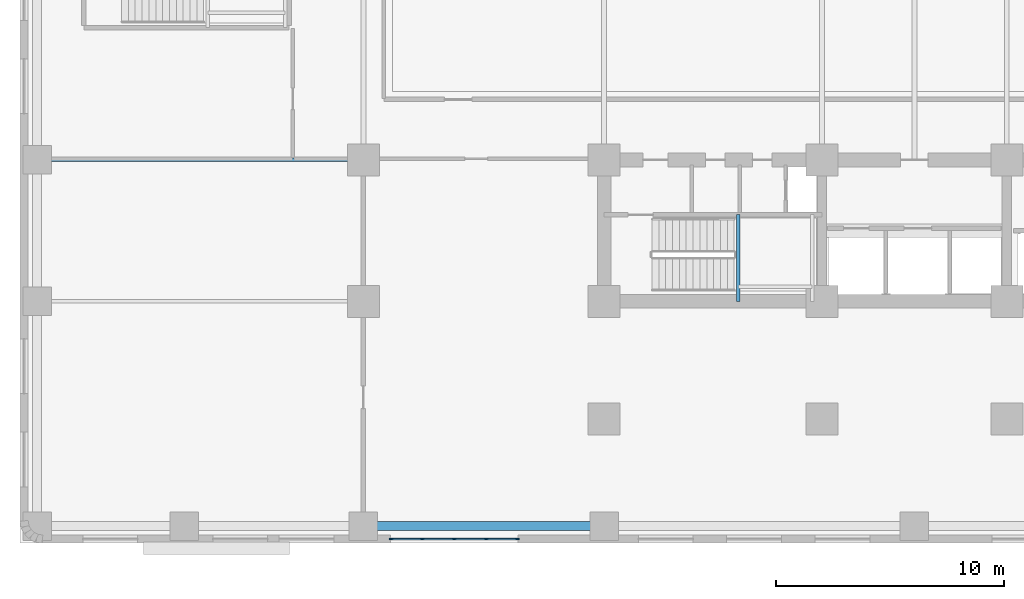
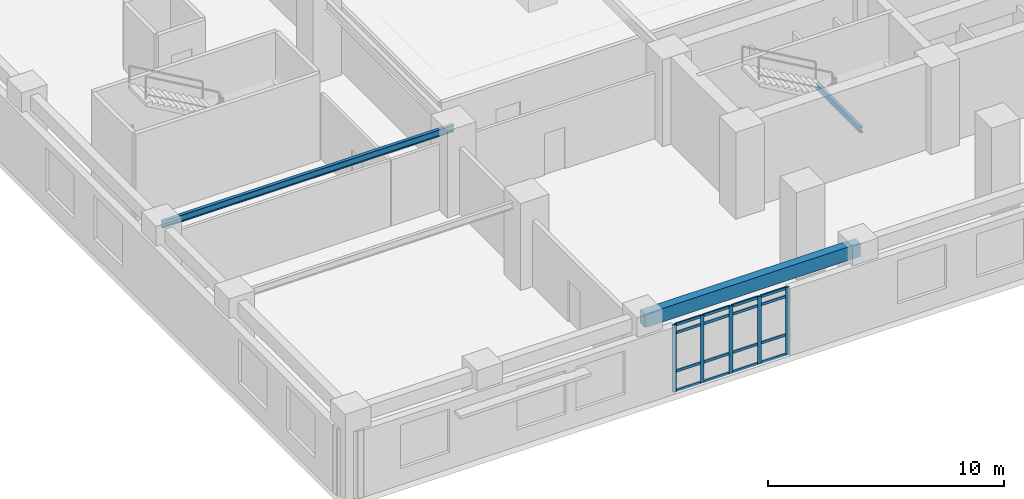
# One storey, part 2 of 14: 21 members, 3 beams, 1 element without a shape of its own.
"""IFC4 building model written with IfcOpenShell, lengths in metres."""

from ifc_helpers import new_model, si_unit, direction, frame, origin, origin_2d, place, context, subcontext, project, spatial, rectangle, i_section, extrude, material, material_profile, profile_set, type_object, element, aggregate, save


model = new_model("IFC4")

# Units and contexts
model_context = context("Model", 3, precision=1e-05, world=origin(), true_north=direction((0.0, 1.0)))
body_context = subcontext(model_context, "Body", "Model", "MODEL_VIEW")
ifc_project = project(units=[si_unit("LENGTHUNIT", "METRE"), si_unit("AREAUNIT", "SQUARE_METRE"), si_unit("VOLUMEUNIT", "CUBIC_METRE"), si_unit("PLANEANGLEUNIT", "RADIAN"), si_unit("MASSUNIT", "GRAM", prefix="KILO")], contexts=[model_context])

# Site, building, storey
site_placement = place(None, origin())
site = spatial("IfcSite", under=ifc_project, at=site_placement, CompositionType="ELEMENT")
building_placement = place(site_placement, origin())
building = spatial("IfcBuilding", under=site, at=building_placement, Name="Svetorya Sky Lyceum", CompositionType="ELEMENT")
storey_placement = place(building_placement, frame((0.0, 0.0, 15.60009765625)))
storey = spatial("IfcBuildingStorey", under=building, at=storey_placement, Name="L03", CompositionType="ELEMENT", Elevation=15.60009765625)

# Beams
ifc_material_1 = material(Name="Concrete C50/60", Category="concrete")
ifc_material_profile_1 = material_profile(ifc_material_1, rectangle(XDim=0.39990234375, YDim=0.699951171875, at=origin_2d()), Name="RC SPANDREL 400x700")
ifc_profile_set_1 = profile_set([ifc_material_profile_1], Name="Concrete C50/60")
beam_type_1 = type_object("IfcBeamType", Name="BM-SPN-700", PredefinedType="SPANDREL", material=ifc_profile_set_1)
beam_1_placement = place(storey_placement, frame((15.050048828125, 0.75, 3.849853515625), z_axis=(1.0, 0.0, 0.0), x_axis=(0.0, 1.0, 0.0)))
element("IfcBeam", 1, at=beam_1_placement, inside=storey, type_object=beam_type_1, Name="L03 Podium South Spandrel 3", PredefinedType="SPANDREL", context=body_context, shape_type="SweptSolid", body=[
    extrude(rectangle(XDim=0.39990234375, YDim=0.699951171875, at=origin_2d()), origin(), (0.0, 0.0, 1.0), 10.550048828125),
])
ifc_material_2 = material(Name="Steel S355", Category="steel")
ifc_material_profile_2 = material_profile(ifc_material_2, i_section(OverallWidth=0.14990234375, OverallDepth=0.299072265625, WebThickness=0.006591796875, FlangeThickness=0.010498046875, at=origin_2d()), Name="GOST 30B2")
ifc_profile_set_2 = profile_set([ifc_material_profile_2], Name="Steel S355")
beam_type_2 = type_object("IfcBeamType", Name="BM-STL-30B2", PredefinedType="JOIST", material=ifc_profile_set_2)
beam_2_placement = place(storey_placement, frame((31.47998046875, 10.60009765625, 1.900390625), z_axis=(0.0, 1.0, 0.0), x_axis=(-1.0, 0.0, 0.0)))
element("IfcBeam", 2, at=beam_2_placement, inside=storey, type_object=beam_type_2, Name="L03 Stair ST-S Half-Landing Support Beam 5.1", PredefinedType="JOIST", context=body_context, shape_type="SweptSolid", body=[
    extrude(i_section(OverallWidth=0.14990234375, OverallDepth=0.299072265625, WebThickness=0.006591796875, FlangeThickness=0.010498046875, at=origin_2d()), origin(), (0.0, 0.0, 1.0), 3.7998046875),
])
ifc_material_profile_3 = material_profile(ifc_material_2, i_section(OverallWidth=0.155029296875, OverallDepth=0.34912109375, WebThickness=0.007080078125, FlangeThickness=0.011474609375, at=origin_2d()), Name="GOST 35B2")
ifc_profile_set_3 = profile_set([ifc_material_profile_3], Name="Steel S355")
beam_type_3 = type_object("IfcBeamType", Name="BM-STL-35B2", PredefinedType="JOIST", material=ifc_profile_set_3)
beam_3_placement = place(storey_placement, frame((0.75, 16.800048828125, 4.025390625), z_axis=(1.0, 0.0, 0.0), x_axis=(0.0, 1.0, 0.0)))
element("IfcBeam", 3, at=beam_3_placement, inside=storey, type_object=beam_type_3, Name="L03 Podium Wing Joist W2", PredefinedType="JOIST", context=body_context, shape_type="SweptSolid", body=[
    extrude(i_section(OverallWidth=0.155029296875, OverallDepth=0.34912109375, WebThickness=0.007080078125, FlangeThickness=0.011474609375, at=origin_2d()), origin(), (0.0, 0.0, 1.0), 14.300048828125),
])

# Curtain wall, members
ifc_material_3 = material(Name="Thermally broken anodized aluminium and triple low-E glass", Category="aluminium")
curtain_wall_type = type_object("IfcCurtainWallType", Name="CW2-SCH-RIB", PredefinedType="NOTDEFINED", material=ifc_material_3)
curtain_wall_placement = place(storey_placement, origin())
curtain_wall = element("IfcCurtainWall", 4, at=curtain_wall_placement, inside=storey, type_object=curtain_wall_type, Name="L03 Lyceum Classroom Ribbon Curtain Wall 6", PredefinedType="NOTDEFINED")
ifc_material_4 = material(Name="Thermally broken anodized aluminium EN AW-6060", Category="aluminium")
ifc_material_profile_4 = material_profile(ifc_material_4, rectangle(XDim=0.06494140625, YDim=0.179931640625, at=origin_2d()), Name="ALU MULLION 65x180")
ifc_profile_set_4 = profile_set([ifc_material_profile_4], Name="Thermally broken anodized aluminium EN AW-6060")
member_type_1 = type_object("IfcMemberType", Name="CWM-MUL-180", PredefinedType="MULLION", material=ifc_profile_set_4)
member_1_placement = place(storey_placement, frame((16.262451171875, 0.179931640625, 0.0), z_axis=(0.0, 0.0, 1.0), x_axis=(0.0, 1.0, 0.0)))
member_1 = element("IfcMember", 5, at=member_1_placement, type_object=member_type_1, Name="CW-2 mullion 1", PredefinedType="MULLION", context=body_context, shape_type="SweptSolid", body=[
    extrude(rectangle(XDim=0.06494140625, YDim=0.179931640625, at=origin_2d()), origin(), (0.0, 0.0, 1.0), 3.47998046875),
])
member_2_placement = place(storey_placement, frame((17.6298828125, 0.179931640625, 0.0), z_axis=(0.0, 0.0, 1.0), x_axis=(0.0, 1.0, 0.0)))
member_2 = element("IfcMember", 6, at=member_2_placement, type_object=member_type_1, Name="CW-2 mullion 2", PredefinedType="MULLION", context=body_context, shape_type="SweptSolid", body=[
    extrude(rectangle(XDim=0.06494140625, YDim=0.179931640625, at=origin_2d()), origin(), (0.0, 0.0, 1.0), 3.47998046875),
])
member_3_placement = place(storey_placement, frame((19.030029296875, 0.179931640625, 0.0), z_axis=(0.0, 0.0, 1.0), x_axis=(0.0, 1.0, 0.0)))
member_3 = element("IfcMember", 7, at=member_3_placement, type_object=member_type_1, Name="CW-2 mullion 3", PredefinedType="MULLION", context=body_context, shape_type="SweptSolid", body=[
    extrude(rectangle(XDim=0.06494140625, YDim=0.179931640625, at=origin_2d()), origin(), (0.0, 0.0, 1.0), 3.47998046875),
])
member_4_placement = place(storey_placement, frame((20.429931640625, 0.179931640625, 0.0), z_axis=(0.0, 0.0, 1.0), x_axis=(0.0, 1.0, 0.0)))
member_4 = element("IfcMember", 8, at=member_4_placement, type_object=member_type_1, Name="CW-2 mullion 4", PredefinedType="MULLION", context=body_context, shape_type="SweptSolid", body=[
    extrude(rectangle(XDim=0.06494140625, YDim=0.179931640625, at=origin_2d()), origin(), (0.0, 0.0, 1.0), 3.47998046875),
])
member_5_placement = place(storey_placement, frame((21.797607421875, 0.179931640625, 0.0), z_axis=(0.0, 0.0, 1.0), x_axis=(0.0, 1.0, 0.0)))
member_5 = element("IfcMember", 9, at=member_5_placement, type_object=member_type_1, Name="CW-2 mullion 5", PredefinedType="MULLION", context=body_context, shape_type="SweptSolid", body=[
    extrude(rectangle(XDim=0.06494140625, YDim=0.179931640625, at=origin_2d()), origin(), (0.0, 0.0, 1.0), 3.47998046875),
])
ifc_material_profile_5 = material_profile(ifc_material_4, rectangle(XDim=0.06494140625, YDim=0.139892578125, at=origin_2d()), Name="ALU TRANSOM 65x140")
ifc_profile_set_5 = profile_set([ifc_material_profile_5], Name="Thermally broken anodized aluminium EN AW-6060")
member_type_2 = type_object("IfcMemberType", Name="CWM-TRN-140", PredefinedType="USERDEFINED", material=ifc_profile_set_5)
member_6_placement = place(storey_placement, frame((16.29345703125, 0.179931640625, 0.032470703125), z_axis=(1.0, 0.0, 0.0), x_axis=(0.0, 1.0, 0.0)))
member_6 = element("IfcMember", 10, at=member_6_placement, type_object=member_type_2, Name="CW-2 transom 1.1", ObjectType="TRANSOM", PredefinedType="USERDEFINED", context=body_context, shape_type="SweptSolid", body=[
    extrude(rectangle(XDim=0.06494140625, YDim=0.139892578125, at=origin_2d()), origin(), (0.0, 0.0, 1.0), 1.3056640625),
])
member_7_placement = place(storey_placement, frame((16.29345703125, 0.179931640625, 1.0439453125), z_axis=(1.0, 0.0, 0.0), x_axis=(0.0, 1.0, 0.0)))
member_7 = element("IfcMember", 11, at=member_7_placement, type_object=member_type_2, Name="CW-2 transom 1.2", ObjectType="TRANSOM", PredefinedType="USERDEFINED", context=body_context, shape_type="SweptSolid", body=[
    extrude(rectangle(XDim=0.06494140625, YDim=0.139892578125, at=origin_2d()), origin(), (0.0, 0.0, 1.0), 1.3056640625),
])
member_8_placement = place(storey_placement, frame((16.29345703125, 0.179931640625, 3.02978515625), z_axis=(1.0, 0.0, 0.0), x_axis=(0.0, 1.0, 0.0)))
member_8 = element("IfcMember", 12, at=member_8_placement, type_object=member_type_2, Name="CW-2 transom 1.3", ObjectType="TRANSOM", PredefinedType="USERDEFINED", context=body_context, shape_type="SweptSolid", body=[
    extrude(rectangle(XDim=0.06494140625, YDim=0.139892578125, at=origin_2d()), origin(), (0.0, 0.0, 1.0), 1.3056640625),
])
member_9_placement = place(storey_placement, frame((16.29345703125, 0.179931640625, 3.447509765625), z_axis=(1.0, 0.0, 0.0), x_axis=(0.0, 1.0, 0.0)))
member_9 = element("IfcMember", 13, at=member_9_placement, type_object=member_type_2, Name="CW-2 transom 1.4", ObjectType="TRANSOM", PredefinedType="USERDEFINED", context=body_context, shape_type="SweptSolid", body=[
    extrude(rectangle(XDim=0.06494140625, YDim=0.139892578125, at=origin_2d()), origin(), (0.0, 0.0, 1.0), 1.3056640625),
])
member_10_placement = place(storey_placement, frame((17.660888671875, 0.179931640625, 0.032470703125), z_axis=(1.0, 0.0, 0.0), x_axis=(0.0, 1.0, 0.0)))
member_10 = element("IfcMember", 14, at=member_10_placement, type_object=member_type_2, Name="CW-2 transom 2.1", ObjectType="TRANSOM", PredefinedType="USERDEFINED", context=body_context, shape_type="SweptSolid", body=[
    extrude(rectangle(XDim=0.06494140625, YDim=0.139892578125, at=origin_2d()), origin(), (0.0, 0.0, 1.0), 1.338134765625),
])
member_11_placement = place(storey_placement, frame((17.660888671875, 0.179931640625, 1.0439453125), z_axis=(1.0, 0.0, 0.0), x_axis=(0.0, 1.0, 0.0)))
member_11 = element("IfcMember", 15, at=member_11_placement, type_object=member_type_2, Name="CW-2 transom 2.2", ObjectType="TRANSOM", PredefinedType="USERDEFINED", context=body_context, shape_type="SweptSolid", body=[
    extrude(rectangle(XDim=0.06494140625, YDim=0.139892578125, at=origin_2d()), origin(), (0.0, 0.0, 1.0), 1.338134765625),
])
member_12_placement = place(storey_placement, frame((17.660888671875, 0.179931640625, 3.02978515625), z_axis=(1.0, 0.0, 0.0), x_axis=(0.0, 1.0, 0.0)))
member_12 = element("IfcMember", 16, at=member_12_placement, type_object=member_type_2, Name="CW-2 transom 2.3", ObjectType="TRANSOM", PredefinedType="USERDEFINED", context=body_context, shape_type="SweptSolid", body=[
    extrude(rectangle(XDim=0.06494140625, YDim=0.139892578125, at=origin_2d()), origin(), (0.0, 0.0, 1.0), 1.338134765625),
])
member_13_placement = place(storey_placement, frame((17.660888671875, 0.179931640625, 3.447509765625), z_axis=(1.0, 0.0, 0.0), x_axis=(0.0, 1.0, 0.0)))
member_13 = element("IfcMember", 17, at=member_13_placement, type_object=member_type_2, Name="CW-2 transom 2.4", ObjectType="TRANSOM", PredefinedType="USERDEFINED", context=body_context, shape_type="SweptSolid", body=[
    extrude(rectangle(XDim=0.06494140625, YDim=0.139892578125, at=origin_2d()), origin(), (0.0, 0.0, 1.0), 1.338134765625),
])
member_14_placement = place(storey_placement, frame((19.06103515625, 0.179931640625, 0.032470703125), z_axis=(1.0, 0.0, 0.0), x_axis=(0.0, 1.0, 0.0)))
member_14 = element("IfcMember", 18, at=member_14_placement, type_object=member_type_2, Name="CW-2 transom 3.1", ObjectType="TRANSOM", PredefinedType="USERDEFINED", context=body_context, shape_type="SweptSolid", body=[
    extrude(rectangle(XDim=0.06494140625, YDim=0.139892578125, at=origin_2d()), origin(), (0.0, 0.0, 1.0), 1.337890625),
])
member_15_placement = place(storey_placement, frame((19.06103515625, 0.179931640625, 1.0439453125), z_axis=(1.0, 0.0, 0.0), x_axis=(0.0, 1.0, 0.0)))
member_15 = element("IfcMember", 19, at=member_15_placement, type_object=member_type_2, Name="CW-2 transom 3.2", ObjectType="TRANSOM", PredefinedType="USERDEFINED", context=body_context, shape_type="SweptSolid", body=[
    extrude(rectangle(XDim=0.06494140625, YDim=0.139892578125, at=origin_2d()), origin(), (0.0, 0.0, 1.0), 1.337890625),
])
member_16_placement = place(storey_placement, frame((19.06103515625, 0.179931640625, 3.02978515625), z_axis=(1.0, 0.0, 0.0), x_axis=(0.0, 1.0, 0.0)))
member_16 = element("IfcMember", 20, at=member_16_placement, type_object=member_type_2, Name="CW-2 transom 3.3", ObjectType="TRANSOM", PredefinedType="USERDEFINED", context=body_context, shape_type="SweptSolid", body=[
    extrude(rectangle(XDim=0.06494140625, YDim=0.139892578125, at=origin_2d()), origin(), (0.0, 0.0, 1.0), 1.337890625),
])
member_17_placement = place(storey_placement, frame((19.06103515625, 0.179931640625, 3.447509765625), z_axis=(1.0, 0.0, 0.0), x_axis=(0.0, 1.0, 0.0)))
member_17 = element("IfcMember", 21, at=member_17_placement, type_object=member_type_2, Name="CW-2 transom 3.4", ObjectType="TRANSOM", PredefinedType="USERDEFINED", context=body_context, shape_type="SweptSolid", body=[
    extrude(rectangle(XDim=0.06494140625, YDim=0.139892578125, at=origin_2d()), origin(), (0.0, 0.0, 1.0), 1.337890625),
])
member_18_placement = place(storey_placement, frame((20.4609375, 0.179931640625, 0.032470703125), z_axis=(1.0, 0.0, 0.0), x_axis=(0.0, 1.0, 0.0)))
member_18 = element("IfcMember", 22, at=member_18_placement, type_object=member_type_2, Name="CW-2 transom 4.1", ObjectType="TRANSOM", PredefinedType="USERDEFINED", context=body_context, shape_type="SweptSolid", body=[
    extrude(rectangle(XDim=0.06494140625, YDim=0.139892578125, at=origin_2d()), origin(), (0.0, 0.0, 1.0), 1.3056640625),
])
member_19_placement = place(storey_placement, frame((20.4609375, 0.179931640625, 1.0439453125), z_axis=(1.0, 0.0, 0.0), x_axis=(0.0, 1.0, 0.0)))
member_19 = element("IfcMember", 23, at=member_19_placement, type_object=member_type_2, Name="CW-2 transom 4.2", ObjectType="TRANSOM", PredefinedType="USERDEFINED", context=body_context, shape_type="SweptSolid", body=[
    extrude(rectangle(XDim=0.06494140625, YDim=0.139892578125, at=origin_2d()), origin(), (0.0, 0.0, 1.0), 1.3056640625),
])
member_20_placement = place(storey_placement, frame((20.4609375, 0.179931640625, 3.02978515625), z_axis=(1.0, 0.0, 0.0), x_axis=(0.0, 1.0, 0.0)))
member_20 = element("IfcMember", 24, at=member_20_placement, type_object=member_type_2, Name="CW-2 transom 4.3", ObjectType="TRANSOM", PredefinedType="USERDEFINED", context=body_context, shape_type="SweptSolid", body=[
    extrude(rectangle(XDim=0.06494140625, YDim=0.139892578125, at=origin_2d()), origin(), (0.0, 0.0, 1.0), 1.3056640625),
])
member_21_placement = place(storey_placement, frame((20.4609375, 0.179931640625, 3.447509765625), z_axis=(1.0, 0.0, 0.0), x_axis=(0.0, 1.0, 0.0)))
member_21 = element("IfcMember", 25, at=member_21_placement, type_object=member_type_2, Name="CW-2 transom 4.4", ObjectType="TRANSOM", PredefinedType="USERDEFINED", context=body_context, shape_type="SweptSolid", body=[
    extrude(rectangle(XDim=0.06494140625, YDim=0.139892578125, at=origin_2d()), origin(), (0.0, 0.0, 1.0), 1.3056640625),
])
aggregate(curtain_wall, [member_1, member_2, member_3, member_4, member_5, member_6, member_7, member_8, member_9, member_10, member_11, member_12, member_13, member_14, member_15, member_16, member_17, member_18, member_19, member_20, member_21])

save(model, "model.ifc")
